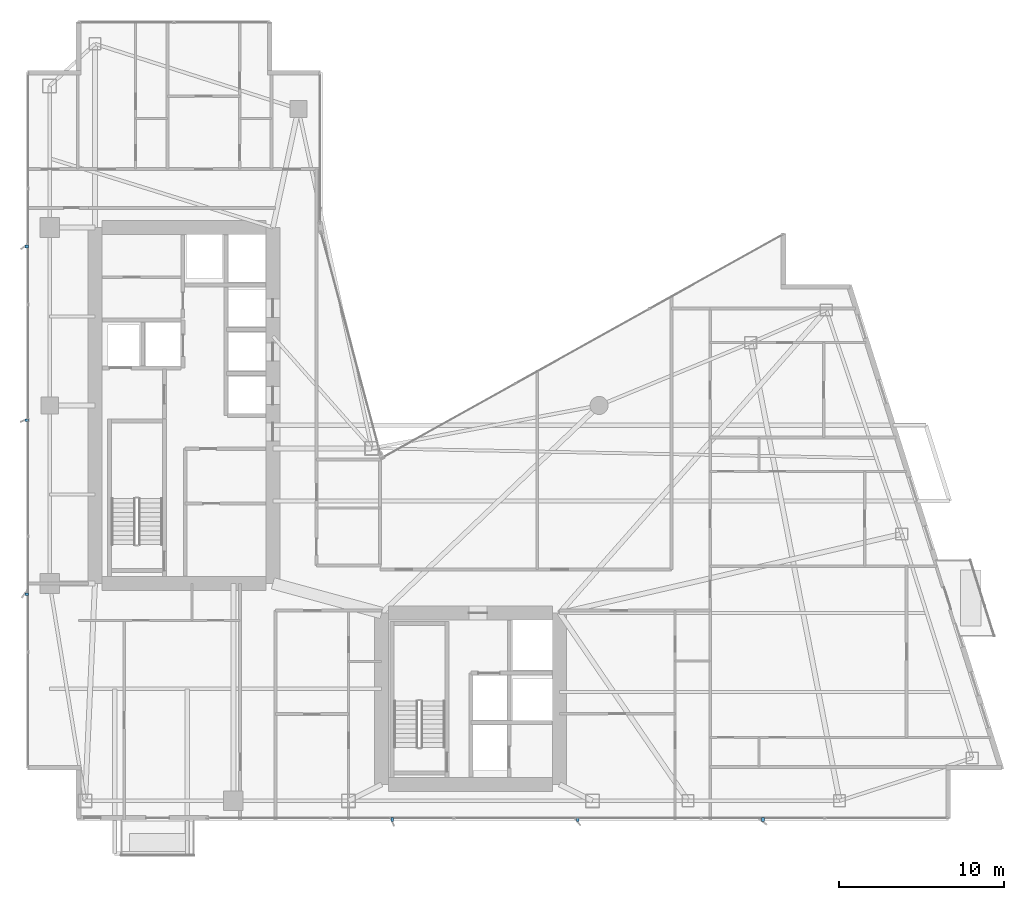
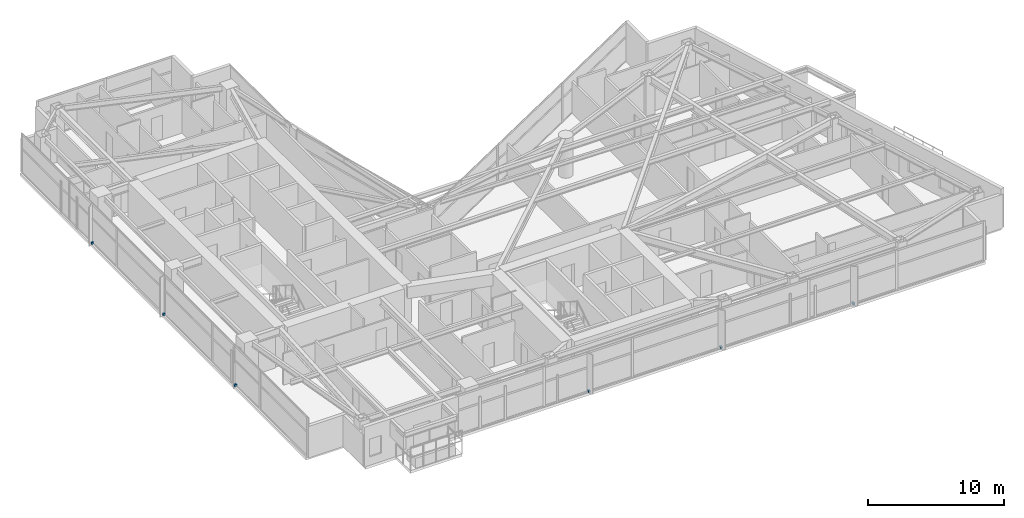
# One storey, part 26 of 28: 6 discrete accessories.
"""IFC4 building model written with IfcOpenShell, lengths in metres."""

from ifc_helpers import new_model, si_unit, direction, frame, origin, origin_2d, place, context, subcontext, project, spatial, rectangle, extrude, material, type_object, element, save


model = new_model("IFC4")

# Units and contexts
model_context = context("Model", 3, precision=1e-05, world=origin(), true_north=direction((0.0, 1.0)))
body_context = subcontext(model_context, "Body", "Model", "MODEL_VIEW")
ifc_project = project(units=[si_unit("LENGTHUNIT", "METRE"), si_unit("AREAUNIT", "SQUARE_METRE"), si_unit("VOLUMEUNIT", "CUBIC_METRE"), si_unit("PLANEANGLEUNIT", "RADIAN"), si_unit("MASSUNIT", "GRAM", prefix="KILO")], contexts=[model_context])

# Site, building, storey
site_placement = place(None, origin())
site = spatial("IfcSite", under=ifc_project, at=site_placement, CompositionType="ELEMENT")
building_placement = place(site_placement, origin())
building = spatial("IfcBuilding", under=site, at=building_placement, Name="Calvorn Quay Hotel", CompositionType="ELEMENT")
storey_placement = place(building_placement, frame((0.0, 0.0, 131.60009765625)))
storey = spatial("IfcBuildingStorey", under=building, at=storey_placement, Name="L32", CompositionType="ELEMENT", Elevation=131.60009765625)

# Discrete accessories
ifc_material = material(Name="Steel Q355B", Category="steel")
discrete_accessory_type = type_object("IfcDiscreteAccessoryType", Name="ACC-FIN-BRACKET", PredefinedType="BRACKET", material=ifc_material)
for number, where, z_axis, x_axis, name in (
    (1, (0.06005859375, 16.14990234375, 0.02978515625), (0.0, 0.0, 1.0), (1.0, 0.0, 0.0), "Fin Anchor Bracket L32-W01"),
    (2, (0.06005859375, 26.699951171875, 0.02978515625), (0.0, 0.0, 1.0), (1.0, 0.0, 0.0), "Fin Anchor Bracket L32-W02"),
    (3, (0.06005859375, 37.25, 0.02978515625), (0.0, 0.0, 1.0), (1.0, 0.0, 0.0), "Fin Anchor Bracket L32-W03"),
    (4, (22.25, 2.4599609375, 0.02978515625), (0.0, 0.0, 1.0), (0.0, 1.0, 0.0), "Fin Anchor Bracket L32-S01"),
    (5, (33.5, 2.4599609375, 0.02978515625), (0.0, 0.0, 1.0), (0.0, 1.0, 0.0), "Fin Anchor Bracket L32-S02"),
    (6, (44.75, 2.4599609375, 0.02978515625), (0.0, 0.0, 1.0), (0.0, 1.0, 0.0), "Fin Anchor Bracket L32-S03"),
):
    element("IfcDiscreteAccessory", number, at=place(storey_placement, frame(where, z_axis=z_axis, x_axis=x_axis)), inside=storey, type_object=discrete_accessory_type, Name=name, PredefinedType="BRACKET", context=body_context, shape_type="SweptSolid", body=[
        extrude(rectangle(XDim=0.239990234375, YDim=0.159912109375, at=origin_2d()), origin(), (0.0, 0.0, 1.0), 0.179931640625),
    ])

save(model, "model.ifc")
